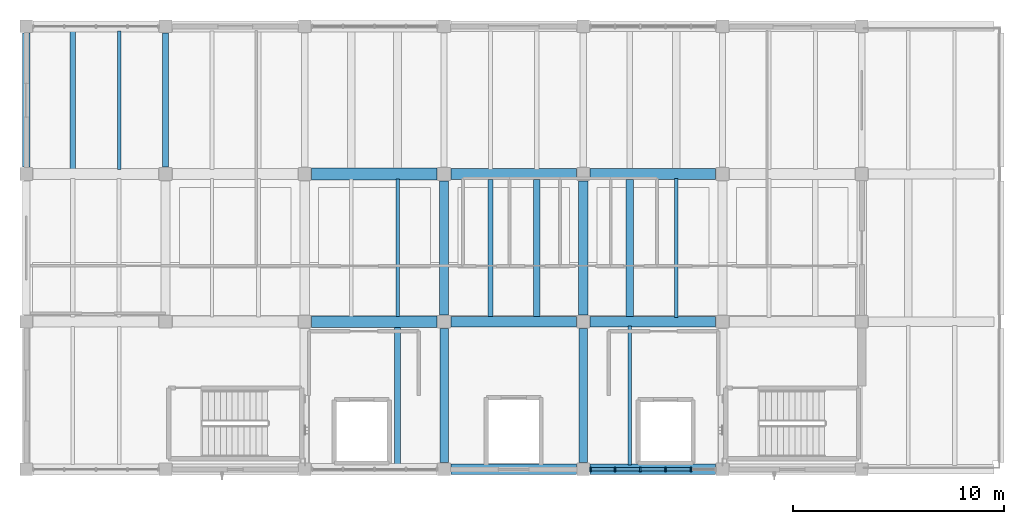
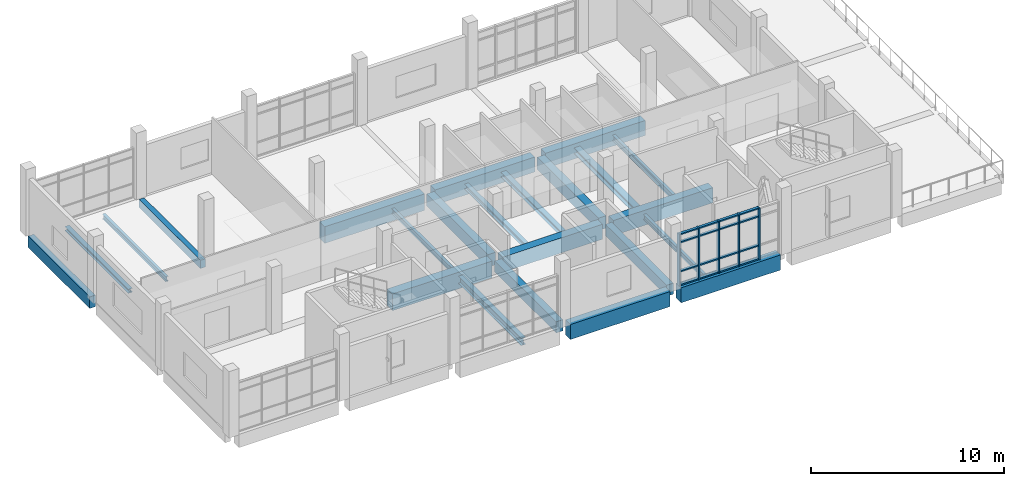
# One storey, part 3 of 14: 23 beams, 21 members, 1 element without a shape of its own.
"""IFC4 building model written with IfcOpenShell, lengths in metres."""

from ifc_helpers import new_model, si_unit, direction, frame, origin, origin_2d, place, context, subcontext, project, spatial, rectangle, i_section, extrude, material, material_profile, profile_set, type_object, element, aggregate, save


model = new_model("IFC4")

# Units and contexts
model_context = context("Model", 3, precision=1e-05, world=origin(), true_north=direction((0.0, 1.0)))
body_context = subcontext(model_context, "Body", "Model", "MODEL_VIEW")
ifc_project = project(units=[si_unit("LENGTHUNIT", "METRE"), si_unit("AREAUNIT", "SQUARE_METRE"), si_unit("VOLUMEUNIT", "CUBIC_METRE"), si_unit("PLANEANGLEUNIT", "RADIAN"), si_unit("MASSUNIT", "GRAM", prefix="KILO")], contexts=[model_context])

# Site, building, storey
site_placement = place(None, origin())
site = spatial("IfcSite", under=ifc_project, at=site_placement, CompositionType="ELEMENT")
building_placement = place(site_placement, origin())
building = spatial("IfcBuilding", under=site, at=building_placement, Name="Ciguamira Faculty of Natural Sciences", CompositionType="ELEMENT")
storey_placement = place(building_placement, frame((0.0, 0.0, 29.39990234375)))
storey = spatial("IfcBuildingStorey", under=building, at=storey_placement, Name="L07", CompositionType="ELEMENT", Elevation=29.39990234375)

# Curtain wall, members
ifc_material_1 = material(Name="Anodized aluminium curtain wall", Category="aluminium")
curtain_wall_type = type_object("IfcCurtainWallType", Name="CurtainWall_CW-06", PredefinedType="USERDEFINED", material=ifc_material_1)
curtain_wall_placement = place(storey_placement, origin())
curtain_wall = element("IfcCurtainWall", 1, at=curtain_wall_placement, inside=storey, type_object=curtain_wall_type, Name="L07 unitised curtain wall 0150", ObjectType="UNITISED CURTAIN WALL", PredefinedType="USERDEFINED")
ifc_material_2 = material(Name="Anodized aluminium mullion", Category="aluminium")
ifc_material_profile_1 = material_profile(ifc_material_2, rectangle(XDim=0.080078125, YDim=0.219970703125, at=origin_2d()), Name="ALU-MUL-80X220")
ifc_profile_set_1 = profile_set([ifc_material_profile_1], Name="Anodized aluminium mullion")
member_type_1 = type_object("IfcMemberType", Name="CWMullion_CWM-03", PredefinedType="MULLION", material=ifc_profile_set_1)
member_1_placement = place(storey_placement, frame((90.639892578125, 94.0, 0.0), z_axis=(0.0, 0.0, 1.0), x_axis=(1.0, 0.0, 0.0)))
member_1 = element("IfcMember", 2, at=member_1_placement, type_object=member_type_1, Name="CW-06 mullion 1", PredefinedType="MULLION", context=body_context, shape_type="SweptSolid", body=[
    extrude(rectangle(XDim=0.080078125, YDim=0.219970703125, at=origin_2d()), origin(), (0.0, 0.0, 1.0), 3.28515625),
])
member_2_placement = place(storey_placement, frame((91.800048828125, 94.0, 0.0), z_axis=(0.0, 0.0, 1.0), x_axis=(1.0, 0.0, 0.0)))
member_2 = element("IfcMember", 3, at=member_2_placement, type_object=member_type_1, Name="CW-06 mullion 2", PredefinedType="MULLION", context=body_context, shape_type="SweptSolid", body=[
    extrude(rectangle(XDim=0.080078125, YDim=0.219970703125, at=origin_2d()), origin(), (0.0, 0.0, 1.0), 3.28515625),
])
member_3_placement = place(storey_placement, frame((93.0, 94.0, 0.0), z_axis=(0.0, 0.0, 1.0), x_axis=(1.0, 0.0, 0.0)))
member_3 = element("IfcMember", 4, at=member_3_placement, type_object=member_type_1, Name="CW-06 mullion 3", PredefinedType="MULLION", context=body_context, shape_type="SweptSolid", body=[
    extrude(rectangle(XDim=0.080078125, YDim=0.219970703125, at=origin_2d()), origin(), (0.0, 0.0, 1.0), 3.28515625),
])
member_4_placement = place(storey_placement, frame((94.199951171875, 94.0, 0.0), z_axis=(0.0, 0.0, 1.0), x_axis=(1.0, 0.0, 0.0)))
member_4 = element("IfcMember", 5, at=member_4_placement, type_object=member_type_1, Name="CW-06 mullion 4", PredefinedType="MULLION", context=body_context, shape_type="SweptSolid", body=[
    extrude(rectangle(XDim=0.080078125, YDim=0.219970703125, at=origin_2d()), origin(), (0.0, 0.0, 1.0), 3.28515625),
])
member_5_placement = place(storey_placement, frame((95.39990234375, 94.0, 0.0), z_axis=(0.0, 0.0, 1.0), x_axis=(1.0, 0.0, 0.0)))
member_5 = element("IfcMember", 6, at=member_5_placement, type_object=member_type_1, Name="CW-06 mullion 5", PredefinedType="MULLION", context=body_context, shape_type="SweptSolid", body=[
    extrude(rectangle(XDim=0.080078125, YDim=0.219970703125, at=origin_2d()), origin(), (0.0, 0.0, 1.0), 3.28515625),
])
ifc_material_3 = material(Name="Anodized aluminium transom", Category="aluminium")
ifc_material_profile_2 = material_profile(ifc_material_3, rectangle(XDim=0.080078125, YDim=0.159912109375, at=origin_2d()), Name="ALU-TRN-80X160")
ifc_profile_set_2 = profile_set([ifc_material_profile_2], Name="Anodized aluminium transom")
member_type_2 = type_object("IfcMemberType", Name="CWTransom_CWT-03", PredefinedType="USERDEFINED", material=ifc_profile_set_2)
member_6_placement = place(storey_placement, frame((90.679931640625, 94.0, 0.0400390625), z_axis=(1.0, 0.0, 0.0), x_axis=(0.0, 0.0, 1.0)))
member_6 = element("IfcMember", 7, at=member_6_placement, type_object=member_type_2, Name="CW-06 transom 1.1", ObjectType="TRANSOM", PredefinedType="USERDEFINED", context=body_context, shape_type="SweptSolid", body=[
    extrude(rectangle(XDim=0.080078125, YDim=0.159912109375, at=origin_2d()), origin(), (0.0, 0.0, 1.0), 1.080078125),
])
member_7_placement = place(storey_placement, frame((90.679931640625, 94.0, 0.900146484375), z_axis=(1.0, 0.0, 0.0), x_axis=(0.0, 0.0, 1.0)))
member_7 = element("IfcMember", 8, at=member_7_placement, type_object=member_type_2, Name="CW-06 transom 1.2", ObjectType="TRANSOM", PredefinedType="USERDEFINED", context=body_context, shape_type="SweptSolid", body=[
    extrude(rectangle(XDim=0.080078125, YDim=0.159912109375, at=origin_2d()), origin(), (0.0, 0.0, 1.0), 1.080078125),
])
member_8_placement = place(storey_placement, frame((90.679931640625, 94.0, 2.735107421875), z_axis=(1.0, 0.0, 0.0), x_axis=(0.0, 0.0, 1.0)))
member_8 = element("IfcMember", 9, at=member_8_placement, type_object=member_type_2, Name="CW-06 transom 1.3", ObjectType="TRANSOM", PredefinedType="USERDEFINED", context=body_context, shape_type="SweptSolid", body=[
    extrude(rectangle(XDim=0.080078125, YDim=0.159912109375, at=origin_2d()), origin(), (0.0, 0.0, 1.0), 1.080078125),
])
member_9_placement = place(storey_placement, frame((90.679931640625, 94.0, 3.2451171875), z_axis=(1.0, 0.0, 0.0), x_axis=(0.0, 0.0, 1.0)))
member_9 = element("IfcMember", 10, at=member_9_placement, type_object=member_type_2, Name="CW-06 transom 1.4", ObjectType="TRANSOM", PredefinedType="USERDEFINED", context=body_context, shape_type="SweptSolid", body=[
    extrude(rectangle(XDim=0.080078125, YDim=0.159912109375, at=origin_2d()), origin(), (0.0, 0.0, 1.0), 1.080078125),
])
member_10_placement = place(storey_placement, frame((91.840087890625, 94.0, 0.0400390625), z_axis=(1.0, 0.0, 0.0), x_axis=(0.0, 0.0, 1.0)))
member_10 = element("IfcMember", 11, at=member_10_placement, type_object=member_type_2, Name="CW-06 transom 2.1", ObjectType="TRANSOM", PredefinedType="USERDEFINED", context=body_context, shape_type="SweptSolid", body=[
    extrude(rectangle(XDim=0.080078125, YDim=0.159912109375, at=origin_2d()), origin(), (0.0, 0.0, 1.0), 1.119873046875),
])
member_11_placement = place(storey_placement, frame((91.840087890625, 94.0, 0.900146484375), z_axis=(1.0, 0.0, 0.0), x_axis=(0.0, 0.0, 1.0)))
member_11 = element("IfcMember", 12, at=member_11_placement, type_object=member_type_2, Name="CW-06 transom 2.2", ObjectType="TRANSOM", PredefinedType="USERDEFINED", context=body_context, shape_type="SweptSolid", body=[
    extrude(rectangle(XDim=0.080078125, YDim=0.159912109375, at=origin_2d()), origin(), (0.0, 0.0, 1.0), 1.119873046875),
])
member_12_placement = place(storey_placement, frame((91.840087890625, 94.0, 2.735107421875), z_axis=(1.0, 0.0, 0.0), x_axis=(0.0, 0.0, 1.0)))
member_12 = element("IfcMember", 13, at=member_12_placement, type_object=member_type_2, Name="CW-06 transom 2.3", ObjectType="TRANSOM", PredefinedType="USERDEFINED", context=body_context, shape_type="SweptSolid", body=[
    extrude(rectangle(XDim=0.080078125, YDim=0.159912109375, at=origin_2d()), origin(), (0.0, 0.0, 1.0), 1.119873046875),
])
member_13_placement = place(storey_placement, frame((91.840087890625, 94.0, 3.2451171875), z_axis=(1.0, 0.0, 0.0), x_axis=(0.0, 0.0, 1.0)))
member_13 = element("IfcMember", 14, at=member_13_placement, type_object=member_type_2, Name="CW-06 transom 2.4", ObjectType="TRANSOM", PredefinedType="USERDEFINED", context=body_context, shape_type="SweptSolid", body=[
    extrude(rectangle(XDim=0.080078125, YDim=0.159912109375, at=origin_2d()), origin(), (0.0, 0.0, 1.0), 1.119873046875),
])
member_14_placement = place(storey_placement, frame((93.0400390625, 94.0, 0.0400390625), z_axis=(1.0, 0.0, 0.0), x_axis=(0.0, 0.0, 1.0)))
member_14 = element("IfcMember", 15, at=member_14_placement, type_object=member_type_2, Name="CW-06 transom 3.1", ObjectType="TRANSOM", PredefinedType="USERDEFINED", context=body_context, shape_type="SweptSolid", body=[
    extrude(rectangle(XDim=0.080078125, YDim=0.159912109375, at=origin_2d()), origin(), (0.0, 0.0, 1.0), 1.119873046875),
])
member_15_placement = place(storey_placement, frame((93.0400390625, 94.0, 0.900146484375), z_axis=(1.0, 0.0, 0.0), x_axis=(0.0, 0.0, 1.0)))
member_15 = element("IfcMember", 16, at=member_15_placement, type_object=member_type_2, Name="CW-06 transom 3.2", ObjectType="TRANSOM", PredefinedType="USERDEFINED", context=body_context, shape_type="SweptSolid", body=[
    extrude(rectangle(XDim=0.080078125, YDim=0.159912109375, at=origin_2d()), origin(), (0.0, 0.0, 1.0), 1.119873046875),
])
member_16_placement = place(storey_placement, frame((93.0400390625, 94.0, 2.735107421875), z_axis=(1.0, 0.0, 0.0), x_axis=(0.0, 0.0, 1.0)))
member_16 = element("IfcMember", 17, at=member_16_placement, type_object=member_type_2, Name="CW-06 transom 3.3", ObjectType="TRANSOM", PredefinedType="USERDEFINED", context=body_context, shape_type="SweptSolid", body=[
    extrude(rectangle(XDim=0.080078125, YDim=0.159912109375, at=origin_2d()), origin(), (0.0, 0.0, 1.0), 1.119873046875),
])
member_17_placement = place(storey_placement, frame((93.0400390625, 94.0, 3.2451171875), z_axis=(1.0, 0.0, 0.0), x_axis=(0.0, 0.0, 1.0)))
member_17 = element("IfcMember", 18, at=member_17_placement, type_object=member_type_2, Name="CW-06 transom 3.4", ObjectType="TRANSOM", PredefinedType="USERDEFINED", context=body_context, shape_type="SweptSolid", body=[
    extrude(rectangle(XDim=0.080078125, YDim=0.159912109375, at=origin_2d()), origin(), (0.0, 0.0, 1.0), 1.119873046875),
])
member_18_placement = place(storey_placement, frame((94.239990234375, 94.0, 0.0400390625), z_axis=(1.0, 0.0, 0.0), x_axis=(0.0, 0.0, 1.0)))
member_18 = element("IfcMember", 19, at=member_18_placement, type_object=member_type_2, Name="CW-06 transom 4.1", ObjectType="TRANSOM", PredefinedType="USERDEFINED", context=body_context, shape_type="SweptSolid", body=[
    extrude(rectangle(XDim=0.080078125, YDim=0.159912109375, at=origin_2d()), origin(), (0.0, 0.0, 1.0), 1.1201171875),
])
member_19_placement = place(storey_placement, frame((94.239990234375, 94.0, 0.900146484375), z_axis=(1.0, 0.0, 0.0), x_axis=(0.0, 0.0, 1.0)))
member_19 = element("IfcMember", 20, at=member_19_placement, type_object=member_type_2, Name="CW-06 transom 4.2", ObjectType="TRANSOM", PredefinedType="USERDEFINED", context=body_context, shape_type="SweptSolid", body=[
    extrude(rectangle(XDim=0.080078125, YDim=0.159912109375, at=origin_2d()), origin(), (0.0, 0.0, 1.0), 1.1201171875),
])
member_20_placement = place(storey_placement, frame((94.239990234375, 94.0, 2.735107421875), z_axis=(1.0, 0.0, 0.0), x_axis=(0.0, 0.0, 1.0)))
member_20 = element("IfcMember", 21, at=member_20_placement, type_object=member_type_2, Name="CW-06 transom 4.3", ObjectType="TRANSOM", PredefinedType="USERDEFINED", context=body_context, shape_type="SweptSolid", body=[
    extrude(rectangle(XDim=0.080078125, YDim=0.159912109375, at=origin_2d()), origin(), (0.0, 0.0, 1.0), 1.1201171875),
])
member_21_placement = place(storey_placement, frame((94.239990234375, 94.0, 3.2451171875), z_axis=(1.0, 0.0, 0.0), x_axis=(0.0, 0.0, 1.0)))
member_21 = element("IfcMember", 22, at=member_21_placement, type_object=member_type_2, Name="CW-06 transom 4.4", ObjectType="TRANSOM", PredefinedType="USERDEFINED", context=body_context, shape_type="SweptSolid", body=[
    extrude(rectangle(XDim=0.080078125, YDim=0.159912109375, at=origin_2d()), origin(), (0.0, 0.0, 1.0), 1.1201171875),
])
aggregate(curtain_wall, [member_1, member_2, member_3, member_4, member_5, member_6, member_7, member_8, member_9, member_10, member_11, member_12, member_13, member_14, member_15, member_16, member_17, member_18, member_19, member_20, member_21])

# Beams
ifc_material_4 = material(Name="Concrete C40/50", Category="concrete")
ifc_material_profile_3 = material_profile(ifc_material_4, rectangle(XDim=0.550048828125, YDim=1.050048828125, at=origin_2d()), Name="RC-BM-550X1050")
ifc_profile_set_3 = profile_set([ifc_material_profile_3], Name="Concrete C40/50")
beam_type_1 = type_object("IfcBeamType", Name="RCBeam_BG-01_RC-BM-550X1050", PredefinedType="BEAM", material=ifc_profile_set_3)
for number, where, z_axis, x_axis, name in (
    (23, (77.425048828125, 101.0, -0.52490234375), (1.0, 0.0, 0.0), (0.0, 1.0, 0.0), "L07 RC girder EW-1553"),
    (24, (77.425048828125, 108.0, -0.52490234375), (1.0, 0.0, 0.0), (0.0, 1.0, 0.0), "L07 RC girder EW-1560"),
):
    element("IfcBeam", number, at=place(storey_placement, frame(where, z_axis=z_axis, x_axis=x_axis)), inside=storey, type_object=beam_type_1, Name=name, PredefinedType="BEAM", context=body_context, shape_type="SweptSolid", body=[
        extrude(rectangle(XDim=0.550048828125, YDim=1.050048828125, at=origin_2d()), origin(), (0.0, 0.0, 1.0), 5.949951171875),
    ])
ifc_material_profile_4 = material_profile(ifc_material_4, rectangle(XDim=0.5, YDim=0.949951171875, at=origin_2d()), Name="RC-BM-500X950")
ifc_profile_set_4 = profile_set([ifc_material_profile_4], Name="Concrete C40/50")
beam_type_2 = type_object("IfcBeamType", Name="RCBeam_BG-02_RC-BM-500X950", PredefinedType="BEAM", material=ifc_profile_set_4)
beam_1_placement = place(storey_placement, frame((84.02490234375, 94.0, -0.474853515625), z_axis=(1.0, 0.0, 0.0), x_axis=(0.0, 1.0, 0.0)))
element("IfcBeam", 25, at=beam_1_placement, inside=storey, type_object=beam_type_2, Name="L07 RC girder EW-1547", PredefinedType="BEAM", context=body_context, shape_type="SweptSolid", body=[
    extrude(rectangle(XDim=0.5, YDim=0.949951171875, at=origin_2d()), origin(), (0.0, 0.0, 1.0), 5.9501953125),
])
beam_2_placement = place(storey_placement, frame((90.625, 94.0, -0.474853515625), z_axis=(1.0, 0.0, 0.0), x_axis=(0.0, 1.0, 0.0)))
element("IfcBeam", 26, at=beam_2_placement, inside=storey, type_object=beam_type_2, Name="L07 RC girder EW-1548", PredefinedType="BEAM", context=body_context, shape_type="SweptSolid", body=[
    extrude(rectangle(XDim=0.5, YDim=0.949951171875, at=origin_2d()), origin(), (0.0, 0.0, 1.0), 5.949951171875),
])
beam_3_placement = place(storey_placement, frame((84.02490234375, 101.0, -0.474853515625), z_axis=(1.0, 0.0, 0.0), x_axis=(0.0, 1.0, 0.0)))
element("IfcBeam", 27, at=beam_3_placement, inside=storey, type_object=beam_type_2, Name="L07 RC girder EW-1554", PredefinedType="BEAM", context=body_context, shape_type="SweptSolid", body=[
    extrude(rectangle(XDim=0.5, YDim=0.949951171875, at=origin_2d()), origin(), (0.0, 0.0, 1.0), 5.9501953125),
])
beam_4_placement = place(storey_placement, frame((90.625, 101.0, -0.474853515625), z_axis=(1.0, 0.0, 0.0), x_axis=(0.0, 1.0, 0.0)))
element("IfcBeam", 28, at=beam_4_placement, inside=storey, type_object=beam_type_2, Name="L07 RC girder EW-1555", PredefinedType="BEAM", context=body_context, shape_type="SweptSolid", body=[
    extrude(rectangle(XDim=0.5, YDim=0.949951171875, at=origin_2d()), origin(), (0.0, 0.0, 1.0), 5.949951171875),
])
beam_5_placement = place(storey_placement, frame((84.02490234375, 108.0, -0.474853515625), z_axis=(1.0, 0.0, 0.0), x_axis=(0.0, 1.0, 0.0)))
element("IfcBeam", 29, at=beam_5_placement, inside=storey, type_object=beam_type_2, Name="L07 RC girder EW-1561", PredefinedType="BEAM", context=body_context, shape_type="SweptSolid", body=[
    extrude(rectangle(XDim=0.5, YDim=0.949951171875, at=origin_2d()), origin(), (0.0, 0.0, 1.0), 5.9501953125),
])
beam_6_placement = place(storey_placement, frame((90.625, 108.0, -0.474853515625), z_axis=(1.0, 0.0, 0.0), x_axis=(0.0, 1.0, 0.0)))
element("IfcBeam", 30, at=beam_6_placement, inside=storey, type_object=beam_type_2, Name="L07 RC girder EW-1562", PredefinedType="BEAM", context=body_context, shape_type="SweptSolid", body=[
    extrude(rectangle(XDim=0.5, YDim=0.949951171875, at=origin_2d()), origin(), (0.0, 0.0, 1.0), 5.949951171875),
])
ifc_material_profile_5 = material_profile(ifc_material_4, rectangle(XDim=0.43994140625, YDim=0.780029296875, at=origin_2d()), Name="RC-BM-440X780")
ifc_profile_set_5 = profile_set([ifc_material_profile_5], Name="Concrete C40/50")
beam_type_3 = type_object("IfcBeamType", Name="RCBeam_BG-06_RC-BM-440X780", PredefinedType="BEAM", material=ifc_profile_set_5)
for number, where, z_axis, x_axis, name in (
    (31, (83.699951171875, 101.324951171875, -0.389892578125), (0.0, 1.0, 0.0), (-1.0, 0.0, 0.0), "L07 girder NS-1580"),
    (32, (90.300048828125, 101.324951171875, -0.389892578125), (0.0, 1.0, 0.0), (-1.0, 0.0, 0.0), "L07 girder NS-1583"),
):
    element("IfcBeam", number, at=place(storey_placement, frame(where, z_axis=z_axis, x_axis=x_axis)), inside=storey, type_object=beam_type_3, Name=name, PredefinedType="BEAM", context=body_context, shape_type="SweptSolid", body=[
        extrude(rectangle(XDim=0.43994140625, YDim=0.780029296875, at=origin_2d()), origin(), (0.0, 0.0, 1.0), 6.35009765625),
    ])
ifc_material_profile_6 = material_profile(ifc_material_4, rectangle(XDim=0.39990234375, YDim=0.699951171875, at=origin_2d()), Name="RC-BM-400X700")
ifc_profile_set_6 = profile_set([ifc_material_profile_6], Name="Concrete C40/50")
beam_type_4 = type_object("IfcBeamType", Name="RCBeam_BG-08_RC-BM-400X700", PredefinedType="BEAM", material=ifc_profile_set_6)
for number, where, z_axis, x_axis, name in (
    (33, (83.699951171875, 94.324951171875, -0.349853515625), (0.0, 1.0, 0.0), (-1.0, 0.0, 0.0), "L07 girder NS-1579"),
    (34, (90.300048828125, 94.324951171875, -0.349853515625), (0.0, 1.0, 0.0), (-1.0, 0.0, 0.0), "L07 girder NS-1582"),
):
    element("IfcBeam", number, at=place(storey_placement, frame(where, z_axis=z_axis, x_axis=x_axis)), inside=storey, type_object=beam_type_4, Name=name, PredefinedType="BEAM", context=body_context, shape_type="SweptSolid", body=[
        extrude(rectangle(XDim=0.39990234375, YDim=0.699951171875, at=origin_2d()), origin(), (0.0, 0.0, 1.0), 6.35009765625),
    ])
ifc_material_profile_7 = material_profile(ifc_material_4, rectangle(XDim=0.300048828125, YDim=0.52001953125, at=origin_2d()), Name="RC-BM-300X520")
ifc_profile_set_7 = profile_set([ifc_material_profile_7], Name="Concrete C40/50")
beam_type_5 = type_object("IfcBeamType", Name="RCBeam_BG-13_RC-BM-300X520", PredefinedType="BEAM", material=ifc_profile_set_7)
beam_7_placement = place(storey_placement, frame((70.5, 108.324951171875, -0.260009765625), z_axis=(0.0, 1.0, 0.0), x_axis=(-1.0, 0.0, 0.0)))
element("IfcBeam", 35, at=beam_7_placement, inside=storey, type_object=beam_type_5, Name="L07 girder NS-1576", PredefinedType="BEAM", context=body_context, shape_type="SweptSolid", body=[
    extrude(rectangle(XDim=0.300048828125, YDim=0.52001953125, at=origin_2d()), origin(), (0.0, 0.0, 1.0), 6.35009765625),
])
ifc_material_5 = material(Name="Precast concrete C40/50", Category="concrete")
ifc_material_profile_8 = material_profile(ifc_material_5, rectangle(XDim=0.340087890625, YDim=0.719970703125, at=origin_2d()), Name="RC-SP-340X720")
ifc_profile_set_8 = profile_set([ifc_material_profile_8], Name="Precast concrete C40/50")
beam_type_6 = type_object("IfcBeamType", Name="RCBeam_SP-03_RC-SP-340X720", PredefinedType="SPANDREL", material=ifc_profile_set_8)
beam_8_placement = place(storey_placement, frame((63.89990234375, 108.324951171875, -0.35986328125), z_axis=(0.0, 1.0, 0.0), x_axis=(-1.0, 0.0, 0.0)))
element("IfcBeam", 36, at=beam_8_placement, inside=storey, type_object=beam_type_6, Name="L07 girder NS-1574", PredefinedType="SPANDREL", context=body_context, shape_type="SweptSolid", body=[
    extrude(rectangle(XDim=0.340087890625, YDim=0.719970703125, at=origin_2d()), origin(), (0.0, 0.0, 1.0), 6.35009765625),
])
ifc_material_6 = material(Name="Steel ASTM A992 Grade 50", Category="steel")
ifc_material_profile_9 = material_profile(ifc_material_6, i_section(OverallWidth=0.25390625, OverallDepth=0.25390625, WebThickness=0.008544921875, FlangeThickness=0.01416015625, at=origin_2d()), Name="W10X49")
ifc_profile_set_9 = profile_set([ifc_material_profile_9], Name="Steel ASTM A992 Grade 50")
beam_type_7 = type_object("IfcBeamType", Name="SteelJoist_SJ-03_W10X49", PredefinedType="JOIST", material=ifc_profile_set_9)
beam_9_placement = place(storey_placement, frame((66.10009765625, 108.219970703125, -0.366943359375), z_axis=(0.0, 1.0, 0.0), x_axis=(-1.0, 0.0, 0.0)))
element("IfcBeam", 37, at=beam_9_placement, inside=storey, type_object=beam_type_7, Name="L07 composite steel joist 01420", PredefinedType="JOIST", context=body_context, shape_type="SweptSolid", body=[
    extrude(i_section(OverallWidth=0.25390625, OverallDepth=0.25390625, WebThickness=0.008544921875, FlangeThickness=0.01416015625, at=origin_2d()), origin(), (0.0, 0.0, 1.0), 6.56005859375),
])
ifc_material_profile_10 = material_profile(ifc_material_6, i_section(OverallWidth=0.164794921875, OverallDepth=0.309814453125, WebThickness=0.005859375, FlangeThickness=0.009765625, at=origin_2d()), Name="W12X26")
ifc_profile_set_10 = profile_set([ifc_material_profile_10], Name="Steel ASTM A992 Grade 50")
beam_type_8 = type_object("IfcBeamType", Name="SteelJoist_SJ-04_W12X26", PredefinedType="JOIST", material=ifc_profile_set_10)
beam_10_placement = place(storey_placement, frame((68.300048828125, 108.219970703125, -0.394775390625), z_axis=(0.0, 1.0, 0.0), x_axis=(-1.0, 0.0, 0.0)))
element("IfcBeam", 38, at=beam_10_placement, inside=storey, type_object=beam_type_8, Name="L07 composite steel joist 01421", PredefinedType="JOIST", context=body_context, shape_type="SweptSolid", body=[
    extrude(i_section(OverallWidth=0.164794921875, OverallDepth=0.309814453125, WebThickness=0.005859375, FlangeThickness=0.009765625, at=origin_2d()), origin(), (0.0, 0.0, 1.0), 6.56005859375),
])
ifc_material_profile_11 = material_profile(ifc_material_6, i_section(OverallWidth=0.16650390625, OverallDepth=0.3173828125, WebThickness=0.007568359375, FlangeThickness=0.01318359375, at=origin_2d()), Name="W12X35")
ifc_profile_set_11 = profile_set([ifc_material_profile_11], Name="Steel ASTM A992 Grade 50")
beam_type_9 = type_object("IfcBeamType", Name="SteelJoist_SJ-05_W12X35", PredefinedType="JOIST", material=ifc_profile_set_11)
beam_11_placement = place(storey_placement, frame((81.5, 101.235107421875, -0.398681640625), z_axis=(0.0, 1.0, 0.0), x_axis=(-1.0, 0.0, 0.0)))
element("IfcBeam", 39, at=beam_11_placement, inside=storey, type_object=beam_type_9, Name="L07 composite steel joist 01428", PredefinedType="JOIST", context=body_context, shape_type="SweptSolid", body=[
    extrude(i_section(OverallWidth=0.16650390625, OverallDepth=0.3173828125, WebThickness=0.007568359375, FlangeThickness=0.01318359375, at=origin_2d()), origin(), (0.0, 0.0, 1.0), 6.52978515625),
])
beam_12_placement = place(storey_placement, frame((92.5, 94.2099609375, -0.398681640625), z_axis=(0.0, 1.0, 0.0), x_axis=(-1.0, 0.0, 0.0)))
element("IfcBeam", 40, at=beam_12_placement, inside=storey, type_object=beam_type_9, Name="L07 composite steel joist 01435", PredefinedType="JOIST", context=body_context, shape_type="SweptSolid", body=[
    extrude(i_section(OverallWidth=0.16650390625, OverallDepth=0.3173828125, WebThickness=0.007568359375, FlangeThickness=0.01318359375, at=origin_2d()), origin(), (0.0, 0.0, 1.0), 6.580078125),
])
ifc_material_profile_12 = material_profile(ifc_material_6, i_section(OverallWidth=0.25390625, OverallDepth=0.307373046875, WebThickness=0.0087890625, FlangeThickness=0.0146484375, at=origin_2d()), Name="W12X53")
ifc_profile_set_12 = profile_set([ifc_material_profile_12], Name="Steel ASTM A992 Grade 50")
beam_type_10 = type_object("IfcBeamType", Name="SteelJoist_SJ-07_W12X53", PredefinedType="JOIST", material=ifc_profile_set_12)
beam_13_placement = place(storey_placement, frame((85.89990234375, 101.2099609375, -0.3935546875), z_axis=(0.0, 1.0, 0.0), x_axis=(-1.0, 0.0, 0.0)))
element("IfcBeam", 41, at=beam_13_placement, inside=storey, type_object=beam_type_10, Name="L07 composite steel joist 01431", PredefinedType="JOIST", context=body_context, shape_type="SweptSolid", body=[
    extrude(i_section(OverallWidth=0.25390625, OverallDepth=0.307373046875, WebThickness=0.0087890625, FlangeThickness=0.0146484375, at=origin_2d()), origin(), (0.0, 0.0, 1.0), 6.580078125),
])
ifc_material_profile_13 = material_profile(ifc_material_6, i_section(OverallWidth=0.3046875, OverallDepth=0.307373046875, WebThickness=0.010009765625, FlangeThickness=0.015380859375, at=origin_2d()), Name="W12X65")
ifc_profile_set_13 = profile_set([ifc_material_profile_13], Name="Steel ASTM A992 Grade 50")
beam_type_11 = type_object("IfcBeamType", Name="SteelJoist_SJ-08_W12X65", PredefinedType="JOIST", material=ifc_profile_set_13)
beam_14_placement = place(storey_placement, frame((88.10009765625, 101.2099609375, -0.3935546875), z_axis=(0.0, 1.0, 0.0), x_axis=(-1.0, 0.0, 0.0)))
element("IfcBeam", 42, at=beam_14_placement, inside=storey, type_object=beam_type_11, Name="L07 composite steel joist 01432", PredefinedType="JOIST", context=body_context, shape_type="SweptSolid", body=[
    extrude(i_section(OverallWidth=0.3046875, OverallDepth=0.307373046875, WebThickness=0.010009765625, FlangeThickness=0.015380859375, at=origin_2d()), origin(), (0.0, 0.0, 1.0), 6.580078125),
])
ifc_material_profile_14 = material_profile(ifc_material_6, i_section(OverallWidth=0.373291015625, OverallDepth=0.373291015625, WebThickness=0.016357421875, FlangeThickness=0.026123046875, at=origin_2d()), Name="W14X132")
ifc_profile_set_14 = profile_set([ifc_material_profile_14], Name="Steel ASTM A992 Grade 50")
beam_type_12 = type_object("IfcBeamType", Name="SteelJoist_SJ-10_W14X132", PredefinedType="JOIST", material=ifc_profile_set_14)
beam_15_placement = place(storey_placement, frame((92.5, 101.2099609375, -0.426513671875), z_axis=(0.0, 1.0, 0.0), x_axis=(-1.0, 0.0, 0.0)))
element("IfcBeam", 43, at=beam_15_placement, inside=storey, type_object=beam_type_12, Name="L07 composite steel joist 01436", PredefinedType="JOIST", context=body_context, shape_type="SweptSolid", body=[
    extrude(i_section(OverallWidth=0.373291015625, OverallDepth=0.373291015625, WebThickness=0.016357421875, FlangeThickness=0.026123046875, at=origin_2d()), origin(), (0.0, 0.0, 1.0), 6.580078125),
])
ifc_material_profile_15 = material_profile(ifc_material_6, i_section(OverallWidth=0.1708984375, OverallDepth=0.3505859375, WebThickness=0.0068359375, FlangeThickness=0.009765625, at=origin_2d()), Name="W14X30")
ifc_profile_set_15 = profile_set([ifc_material_profile_15], Name="Steel ASTM A992 Grade 50")
beam_type_13 = type_object("IfcBeamType", Name="SteelJoist_SJ-11_W14X30", PredefinedType="JOIST", material=ifc_profile_set_15)
beam_16_placement = place(storey_placement, frame((94.699951171875, 101.2099609375, -0.415283203125), z_axis=(0.0, 1.0, 0.0), x_axis=(-1.0, 0.0, 0.0)))
element("IfcBeam", 44, at=beam_16_placement, inside=storey, type_object=beam_type_13, Name="L07 composite steel joist 01437", PredefinedType="JOIST", context=body_context, shape_type="SweptSolid", body=[
    extrude(i_section(OverallWidth=0.1708984375, OverallDepth=0.3505859375, WebThickness=0.0068359375, FlangeThickness=0.009765625, at=origin_2d()), origin(), (0.0, 0.0, 1.0), 6.580078125),
])
ifc_material_profile_16 = material_profile(ifc_material_6, i_section(OverallWidth=0.279296875, OverallDepth=0.462158203125, WebThickness=0.0107421875, FlangeThickness=0.017333984375, at=origin_2d()), Name="W18X76")
ifc_profile_set_16 = profile_set([ifc_material_profile_16], Name="Steel ASTM A992 Grade 50")
beam_type_14 = type_object("IfcBeamType", Name="SteelJoist_SJ-25_W18X76", PredefinedType="JOIST", material=ifc_profile_set_16)
beam_17_placement = place(storey_placement, frame((81.5, 94.235107421875, -0.470947265625), z_axis=(0.0, 1.0, 0.0), x_axis=(-1.0, 0.0, 0.0)))
element("IfcBeam", 45, at=beam_17_placement, inside=storey, type_object=beam_type_14, Name="L07 composite steel joist 01426", PredefinedType="JOIST", context=body_context, shape_type="SweptSolid", body=[
    extrude(i_section(OverallWidth=0.279296875, OverallDepth=0.462158203125, WebThickness=0.0107421875, FlangeThickness=0.017333984375, at=origin_2d()), origin(), (0.0, 0.0, 1.0), 6.52978515625),
])

save(model, "model.ifc")
